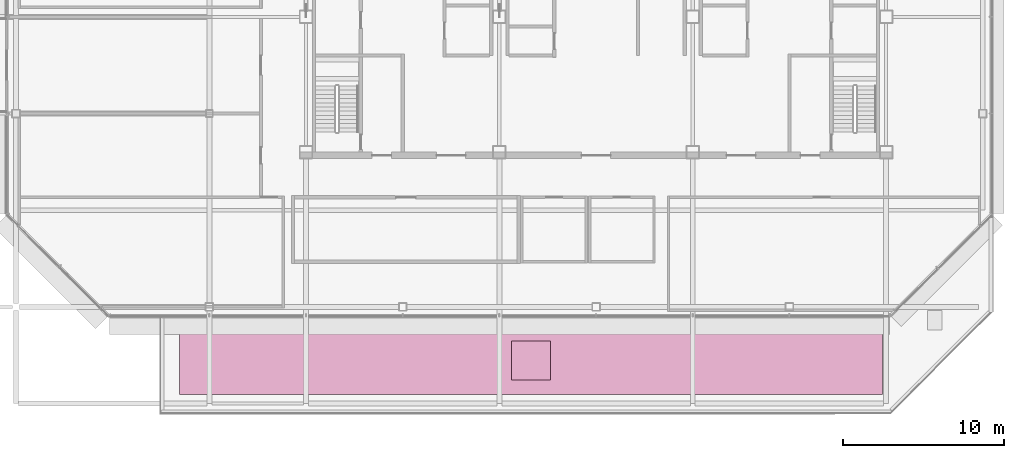
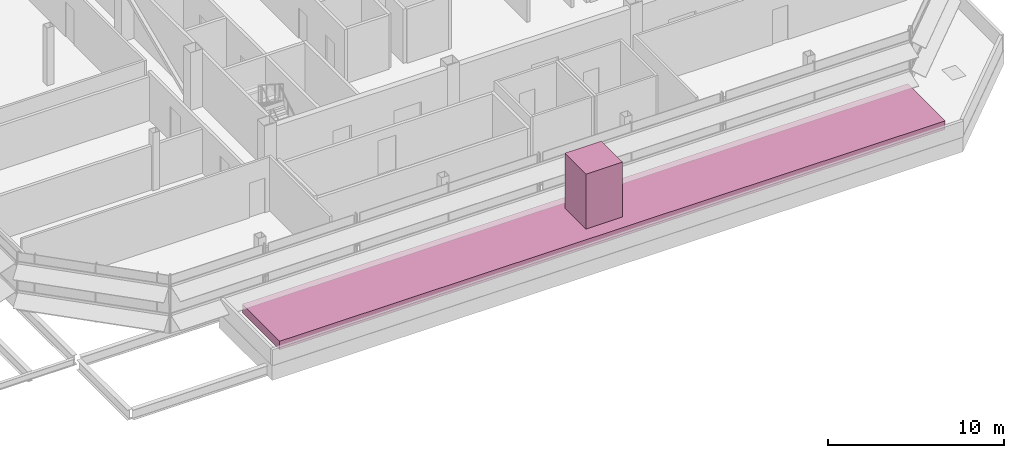
# One storey, part 26 of 26: 2 furniture elements.
"""IFC4 building model written with IfcOpenShell, lengths in metres."""

import ifcopenshell
import ifcopenshell.guid

model = None  # the IFC model being written
_history = None  # IfcOwnerHistory: only IFC2X3 demands one
_inside = {}  # id of a spatial element -> (the spatial element, [elements in it])
_under = {}  # id of a project, library or spatial element -> (it, [spatial elements below it])
_declared = {}  # id of a project -> (the project, [libraries it declares])
_typed = {}  # id of a type object -> (the type object, [elements of that type])
_made_of = {}  # id of a material, layer set ... -> (it, [elements and type objects made of it])


def new_model(schema):
    """Start an empty IFC model of exactly this schema.

    Asked for "IFC4X3", IfcOpenShell would pick the latest addendum, in which some entities
    have other attributes; the version numbers below select the first issue.
    IFC2X3 requires an IfcOwnerHistory on every rooted entity: one is made here for all.
    """
    global model, _history
    if schema == "IFC4X3":
        model = ifcopenshell.file(schema_version=(4, 3, 0, 0))
    else:
        model = ifcopenshell.file(schema=schema)
    _inside.clear()
    _under.clear()
    _declared.clear()
    _typed.clear()
    _made_of.clear()
    _history = None
    if model.schema == "IFC2X3":
        org = make("IfcOrganization", Name="unknown")
        user = make(
            "IfcPersonAndOrganization",
            ThePerson=make("IfcPerson", FamilyName="unknown"),
            TheOrganization=org,
        )
        app = make(
            "IfcApplication",
            ApplicationDeveloper=org,
            Version="unknown",
            ApplicationFullName="unknown",
            ApplicationIdentifier="unknown",
        )
        _history = make(
            "IfcOwnerHistory",
            OwningUser=user,
            OwningApplication=app,
            ChangeAction="ADDED",
            CreationDate=0,
        )
    return model


def make(cls, **values):
    """One entity of the class cls with the attributes given. An attribute that is None is left unset."""
    return model.create_entity(
        cls, **{name: value for name, value in values.items() if value is not None}
    )


def rooted(cls, **values):
    """An entity with a GlobalId (a new one), such as an element, a storey or a relation."""
    return make(cls, GlobalId=ifcopenshell.guid.new(), OwnerHistory=_history, **values)


def si_unit(unit_type, name, prefix=None):
    """IfcSIUnit, for example si_unit("LENGTHUNIT", "METRE", prefix="MILLI")."""
    return make("IfcSIUnit", UnitType=unit_type, Prefix=prefix, Name=name)


def assignment(units):
    """IfcUnitAssignment: the units of a project."""
    return None if units is None else make("IfcUnitAssignment", Units=units)


def point(xyz):
    """IfcCartesianPoint."""
    return None if xyz is None else make("IfcCartesianPoint", Coordinates=xyz)


def direction(xyz):
    """IfcDirection."""
    return None if xyz is None else make("IfcDirection", DirectionRatios=xyz)


def frame(location, z_axis=None, x_axis=None):
    """IfcAxis2Placement3D, a coordinate frame: its origin and axes. An axis left out is left unset."""
    return make(
        "IfcAxis2Placement3D",
        Location=point(location),
        Axis=direction(z_axis),
        RefDirection=direction(x_axis),
    )


def frame_2d(location, x_axis=None):
    """IfcAxis2Placement2D, a coordinate frame in the plane: its origin and x axis."""
    return make(
        "IfcAxis2Placement2D", Location=point(location), RefDirection=direction(x_axis)
    )


def origin():
    """The frame at (0, 0, 0) with its axes left unset."""
    return frame((0.0, 0.0, 0.0))


def origin_2d():
    """The frame at (0, 0) in the plane with its x axis left unset."""
    return frame_2d((0.0, 0.0))


def place(relative_to, where):
    """IfcLocalPlacement: puts the frame where relative to a parent placement (None: the world)."""
    return make(
        "IfcLocalPlacement", PlacementRelTo=relative_to, RelativePlacement=where
    )


def context(
    kind, dimensions, precision=None, world=None, true_north=None, identifier=None
):
    """IfcGeometricRepresentationContext, for example the 3D "Model" context."""
    return make(
        "IfcGeometricRepresentationContext",
        ContextIdentifier=identifier,
        ContextType=kind,
        CoordinateSpaceDimension=dimensions,
        Precision=precision,
        WorldCoordinateSystem=world,
        TrueNorth=true_north,
    )


def subcontext(parent, identifier, kind, view, scale=None):
    """IfcGeometricRepresentationSubContext, for example "Body" below "Model"."""
    return make(
        "IfcGeometricRepresentationSubContext",
        ContextIdentifier=identifier,
        ContextType=kind,
        ParentContext=parent,
        TargetScale=scale,
        TargetView=view,
    )


def project(units=None, contexts=None):
    """IfcProject with its units and contexts."""
    return rooted(
        "IfcProject",
        Name="project",
        RepresentationContexts=contexts,
        UnitsInContext=assignment(units),
    )


def spatial(cls, under=None, at=None, **own):
    """A site, building, storey or space (cls), placed at a placement, below another one or the project."""
    s = rooted(cls, ObjectPlacement=at, **own)
    if under is not None:
        _under.setdefault(under.id(), (under, []))[1].append(s)
    return s


def profile(cls, at=None, kind="AREA", **sizes):
    """A parametric profile (cls). Its sizes go by their IFC names, for example OverallWidth=200.0."""
    return make(cls, ProfileType=kind, Position=at, **sizes)


def rectangle(**sizes):
    """IfcRectangleProfileDef."""
    return profile("IfcRectangleProfileDef", **sizes)


def extrude(swept, where, along, depth):
    """IfcExtrudedAreaSolid: the profile swept, set in the frame where, extruded along a direction by depth."""
    return make(
        "IfcExtrudedAreaSolid",
        SweptArea=swept,
        Position=where,
        ExtrudedDirection=direction(along),
        Depth=depth,
    )


def shape(context_of_items, identifier, shape_type, items):
    """IfcShapeRepresentation: the items that make up one representation, for example the "Body"."""
    return make(
        "IfcShapeRepresentation",
        ContextOfItems=context_of_items,
        RepresentationIdentifier=identifier,
        RepresentationType=shape_type,
        Items=items,
    )


def material(Name=None, Category=None):
    """IfcMaterial."""
    return make("IfcMaterial", Name=Name, Category=Category)


def made_of(thing, what):
    """Note that an element or type object is made of a material, layer set ...; save() writes the relation."""
    if what is not None:
        _made_of.setdefault(what.id(), (what, []))[1].append(thing)
    return thing


def type_object(cls, material=None, **own):
    """A type object (cls), such as IfcWallType, which elements share."""
    return made_of(rooted(cls, **own), material)


def element(
    cls,
    number,
    at=None,
    inside=None,
    cuts=None,
    type_object=None,
    material=None,
    context=None,
    identifier="Body",
    shape_type=None,
    held_by="IfcProductDefinitionShape",
    body=None,
    shapes=None,
    **own,
):
    """One element of the class cls, such as IfcWall. Its Tag is "e" and its number.

    at: its placement. inside: the storey or other place that contains it. cuts: it is an
    opening in that element (IfcRelVoidsElement). A single representation is given by context,
    identifier, shape_type and body (its items); several are given by shapes. held_by: the class
    of the entity that holds the representations. save() writes the other relations.
    """
    e = rooted(cls, Tag="e%d" % number, ObjectPlacement=at, **own)
    if body is not None:
        shapes = [shape(context, identifier, shape_type, body)]
    if shapes is not None:
        e.Representation = make(held_by, Representations=shapes)
    if inside is not None:
        _inside.setdefault(inside.id(), (inside, []))[1].append(e)
    if cuts is not None:
        rooted(
            "IfcRelVoidsElement", RelatingBuildingElement=cuts, RelatedOpeningElement=e
        )
    if type_object is not None:
        _typed.setdefault(type_object.id(), (type_object, []))[1].append(e)
    return made_of(e, material)


def aggregate(whole, parts):
    """IfcRelAggregates: a whole, such as a stair, and the parts it consists of."""
    return rooted("IfcRelAggregates", RelatingObject=whole, RelatedObjects=parts)


def save(model, path):
    """Write the relations noted so far, then the file.

    IfcRelAggregates (storeys below a building ...), IfcRelContainedInSpatialStructure (elements
    in a storey), IfcRelDefinesByType, IfcRelAssociatesMaterial and IfcRelDeclares: one each for
    every whole, place, type object, material and project.
    """
    for whole, parts in _under.values():
        aggregate(whole, parts)
    for where, things in _inside.values():
        rooted(
            "IfcRelContainedInSpatialStructure",
            RelatedElements=things,
            RelatingStructure=where,
        )
    for kind, things in _typed.values():
        rooted("IfcRelDefinesByType", RelatedObjects=things, RelatingType=kind)
    for what, things in _made_of.values():
        rooted("IfcRelAssociatesMaterial", RelatedObjects=things, RelatingMaterial=what)
    for by, libraries in _declared.values():
        rooted("IfcRelDeclares", RelatingContext=by, RelatedDefinitions=libraries)
    model.write(path)


model = new_model("IFC4")

# Units and contexts
model_context = context("Model", 3, precision=1e-05, world=origin(), true_north=direction((0.0, 1.0)))
body_context = subcontext(model_context, "Body", "Model", "MODEL_VIEW")
ifc_project = project(units=[si_unit("LENGTHUNIT", "METRE"), si_unit("AREAUNIT", "SQUARE_METRE"), si_unit("VOLUMEUNIT", "CUBIC_METRE"), si_unit("PLANEANGLEUNIT", "RADIAN"), si_unit("MASSUNIT", "GRAM", prefix="KILO")], contexts=[model_context])

# Site, building, storey
site_placement = place(None, origin())
site = spatial("IfcSite", under=ifc_project, at=site_placement, CompositionType="ELEMENT")
building_placement = place(site_placement, origin())
building = spatial("IfcBuilding", under=site, at=building_placement, Name="Sorahane Residences", CompositionType="ELEMENT")
storey_placement = place(building_placement, frame((0.0, 0.0, 337.800048828125)))
storey = spatial("IfcBuildingStorey", under=building, at=storey_placement, Name="L80", CompositionType="ELEMENT", Elevation=337.800048828125)

# Furniture
ifc_material_1 = material(Name="Planting soil with shrubs in a steel-framed bed", Category="steel")
furniture_type_1 = type_object("IfcFurnitureType", Name="PLANTER bed black steel frame with soil 43622x4250", AssemblyPlace="NOTDEFINED", PredefinedType="NOTDEFINED", material=ifc_material_1)
furniture_1_placement = place(storey_placement, frame((19.961181640625, 8.675048828125, 0.0), z_axis=(0.0, 0.0, 1.0), x_axis=(1.0, 0.0, 0.0)))
element("IfcFurniture", 1, at=furniture_1_placement, inside=storey, type_object=furniture_type_1, Name="PLANTER bed L80.1.1", PredefinedType="NOTDEFINED", context=body_context, shape_type="SweptSolid", body=[
    extrude(rectangle(XDim=43.622314453125, YDim=4.25, at=origin_2d()), origin(), (0.0, 0.0, 1.0), 0.60009765625),
])
ifc_material_2 = material(Name="Green foliage shrub planting")
furniture_type_2 = type_object("IfcFurnitureType", Name="PLANTER shrub planting green foliage", AssemblyPlace="NOTDEFINED", PredefinedType="NOTDEFINED", material=ifc_material_2)
furniture_2_placement = place(storey_placement, frame((19.961181640625, 8.675048828125, 0.60009765625), z_axis=(0.0, 0.0, 1.0), x_axis=(1.0, 0.0, 0.0)))
element("IfcFurniture", 2, at=furniture_2_placement, inside=storey, type_object=furniture_type_2, Name="PLANTER shrub L80.1.1", PredefinedType="NOTDEFINED", context=body_context, shape_type="SweptSolid", body=[
    extrude(rectangle(XDim=2.39990234375, YDim=2.39990234375, at=origin_2d()), origin(), (0.0, 0.0, 1.0), 3.800048828125),
])

save(model, "model.ifc")
